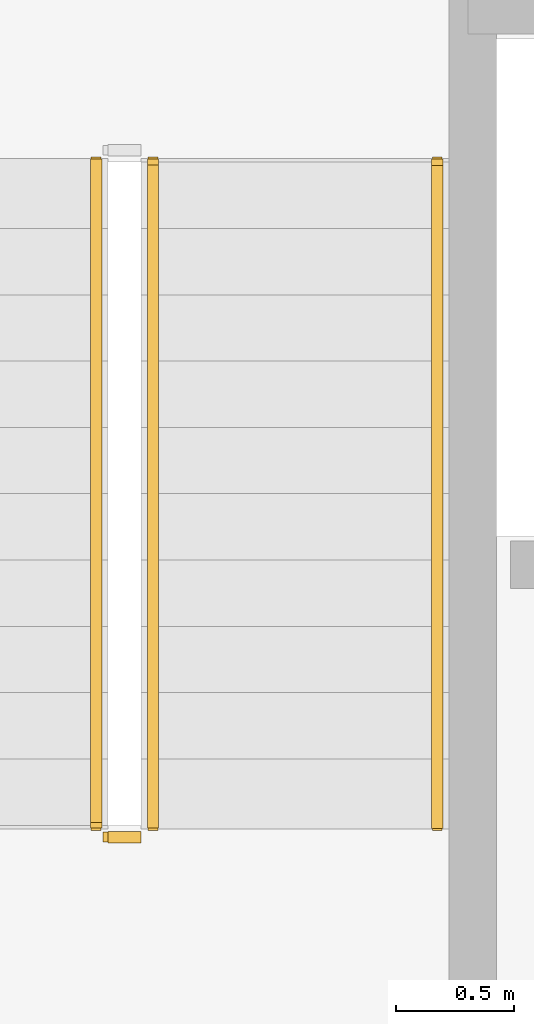
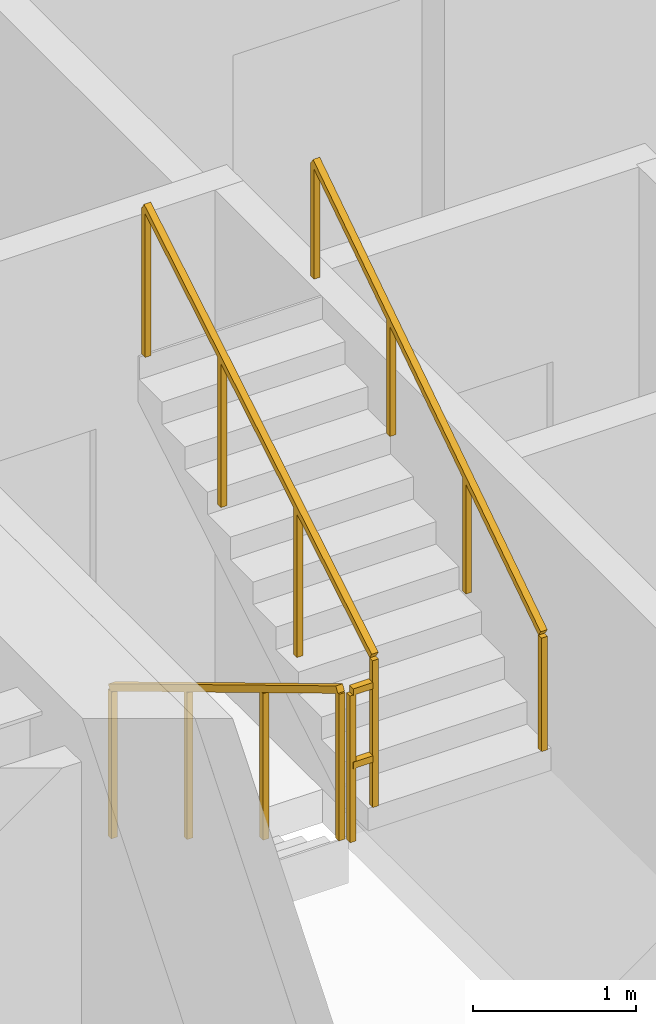
# One storey, part 15 of 19: 4 railings.
"""IFC4 building model written with IfcOpenShell, lengths in metres."""

from ifc_helpers import new_model, si_unit, derived_unit, direction, frame, origin, origin_2d, place, context, subcontext, project, spatial, rectangle, extrude, material, type_object, element, save


model = new_model("IFC4")

# Units and contexts
model_context = context("Model", 3, precision=1e-05, world=origin(), true_north=direction((0.0, 1.0)))
body_context = subcontext(model_context, "Body", "Model", "MODEL_VIEW")
ifc_project = project(units=[si_unit("LENGTHUNIT", "METRE"), si_unit("AREAUNIT", "SQUARE_METRE"), si_unit("VOLUMEUNIT", "CUBIC_METRE"), si_unit("PLANEANGLEUNIT", "RADIAN"), si_unit("MASSUNIT", "GRAM", prefix="KILO"), si_unit("THERMODYNAMICTEMPERATUREUNIT", "KELVIN"), si_unit("POWERUNIT", "WATT"), derived_unit("THERMALTRANSMITTANCEUNIT", [(si_unit("POWERUNIT", "WATT"), 1), (si_unit("AREAUNIT", "SQUARE_METRE"), -1), (si_unit("THERMODYNAMICTEMPERATUREUNIT", "KELVIN"), -1)])], contexts=[model_context])

# Site, building, storey
site_placement = place(None, origin())
site = spatial("IfcSite", under=ifc_project, at=site_placement, CompositionType="ELEMENT")
building_placement = place(site_placement, origin())
building = spatial("IfcBuilding", under=site, at=building_placement, Name="Zahravan Archway Hotel and Residences", CompositionType="ELEMENT")
storey_placement = place(building_placement, frame((0.0, 0.0, 62.0)))
storey = spatial("IfcBuildingStorey", under=building, at=storey_placement, Name="L14", CompositionType="ELEMENT", Elevation=62.0)

# Railings
ifc_material_1 = material(Name="Painted Tubular Steel", Category="steel")
railing_type_1 = type_object("IfcRailingType", Name="RL-STG-1150", PredefinedType="GUARDRAIL", material=ifc_material_1)
railing_1_placement = place(storey_placement, frame((36.550048828125, 9.72998046875, 0.168212890625)))
element("IfcRailing", 1, at=railing_1_placement, inside=storey, type_object=railing_type_1, Name="L14 ST-A1 stair guard 1", PredefinedType="GUARDRAIL", context=body_context, shape_type="SweptSolid", body=[
    extrude(rectangle(XDim=0.048095703125, YDim=0.048095703125, at=origin_2d()), frame((0.0, 0.0, 1.1259765625), z_axis=(0.0, -0.857242210791, 0.514913383045), x_axis=(1.0, 0.0, 0.0)), (0.0, 0.0, 1.0), 3.266357421875),
    extrude(rectangle(XDim=0.0419921875, YDim=0.0419921875, at=origin_2d()), origin(), (0.0, 0.0, 1.0), 1.101806640625),
    extrude(rectangle(XDim=0.0419921875, YDim=0.0419921875, at=origin_2d()), frame((0.0, -0.933349609375, 0.560546875)), (0.0, 0.0, 1.0), 1.101806640625),
    extrude(rectangle(XDim=0.0419921875, YDim=0.0419921875, at=origin_2d()), frame((0.0, -1.86669921875, 1.121337890625)), (0.0, 0.0, 1.0), 1.101806640625),
    extrude(rectangle(XDim=0.0419921875, YDim=0.0419921875, at=origin_2d()), frame((0.0, -2.800048828125, 1.681884765625)), (0.0, 0.0, 1.0), 1.101806640625),
])
railing_2_placement = place(storey_placement, frame((36.60009765625, 6.8798828125, 1.85009765625)))
element("IfcRailing", 2, at=railing_2_placement, inside=storey, type_object=railing_type_1, Name="L14 ST-A1 stair guard 2", PredefinedType="GUARDRAIL", context=body_context, shape_type="SweptSolid", body=[
    extrude(rectangle(XDim=0.048095703125, YDim=0.048095703125, at=origin_2d()), frame((0.0, 0.0, 1.1259765625), z_axis=(1.0, 0.0, 0.0), x_axis=(0.0, 1.0, 0.0)), (0.0, 0.0, 1.0), 0.139892578125),
    extrude(rectangle(XDim=0.048095703125, YDim=0.048095703125, at=origin_2d()), frame((0.0, 0.0, 0.574951171875), z_axis=(1.0, 0.0, 0.0), x_axis=(0.0, 1.0, 0.0)), (0.0, 0.0, 1.0), 0.139892578125),
    extrude(rectangle(XDim=0.0419921875, YDim=0.0419921875, at=origin_2d()), origin(), (0.0, 0.0, 1.0), 1.101806640625),
])
railing_3_placement = place(storey_placement, frame((36.7900390625, 6.929931640625, 2.01806640625)))
element("IfcRailing", 3, at=railing_3_placement, inside=storey, type_object=railing_type_1, Name="L14 ST-A1 stair guard 3", PredefinedType="GUARDRAIL", context=body_context, shape_type="SweptSolid", body=[
    extrude(rectangle(XDim=0.048095703125, YDim=0.048095703125, at=origin_2d()), frame((0.0, 0.0, 1.1259765625), z_axis=(0.0, 0.857242210791, 0.514913383045), x_axis=(-1.0, 0.0, 0.0)), (0.0, 0.0, 1.0), 3.266357421875),
    extrude(rectangle(XDim=0.0419921875, YDim=0.0419921875, at=origin_2d()), origin(), (0.0, 0.0, 1.0), 1.101806640625),
    extrude(rectangle(XDim=0.0419921875, YDim=0.0419921875, at=origin_2d()), frame((0.0, 0.933349609375, 0.560546875)), (0.0, 0.0, 1.0), 1.101806640625),
    extrude(rectangle(XDim=0.0419921875, YDim=0.0419921875, at=origin_2d()), frame((0.0, 1.86669921875, 1.121337890625)), (0.0, 0.0, 1.0), 1.101806640625),
    extrude(rectangle(XDim=0.0419921875, YDim=0.0419921875, at=origin_2d()), frame((0.0, 2.800048828125, 1.681884765625)), (0.0, 0.0, 1.0), 1.101806640625),
])
ifc_material_2 = material(Name="Brushed Stainless Steel", Category="steel")
railing_type_2 = type_object("IfcRailingType", Name="RL-STH-900", PredefinedType="HANDRAIL", material=ifc_material_2)
railing_4_placement = place(storey_placement, frame((37.989990234375, 6.929931640625, 2.01806640625)))
element("IfcRailing", 4, at=railing_4_placement, inside=storey, type_object=railing_type_2, Name="L14 ST-A1 stair handrail 2", PredefinedType="HANDRAIL", context=body_context, shape_type="SweptSolid", body=[
    extrude(rectangle(XDim=0.048095703125, YDim=0.048095703125, at=origin_2d()), frame((0.0, 0.0, 0.8759765625), z_axis=(0.0, 0.834326358476, 0.551270829586), x_axis=(-1.0, 0.0, 0.0)), (0.0, 0.0, 1.0), 3.35595703125),
    extrude(rectangle(XDim=0.0419921875, YDim=0.0419921875, at=origin_2d()), origin(), (0.0, 0.0, 1.0), 0.851806640625),
    extrude(rectangle(XDim=0.0419921875, YDim=0.0419921875, at=origin_2d()), frame((0.0, 0.933349609375, 0.61669921875)), (0.0, 0.0, 1.0), 0.851806640625),
    extrude(rectangle(XDim=0.0419921875, YDim=0.0419921875, at=origin_2d()), frame((0.0, 1.86669921875, 1.2333984375)), (0.0, 0.0, 1.0), 0.851806640625),
    extrude(rectangle(XDim=0.0419921875, YDim=0.0419921875, at=origin_2d()), frame((0.0, 2.800048828125, 1.85009765625)), (0.0, 0.0, 1.0), 0.851806640625),
])

save(model, "model.ifc")
